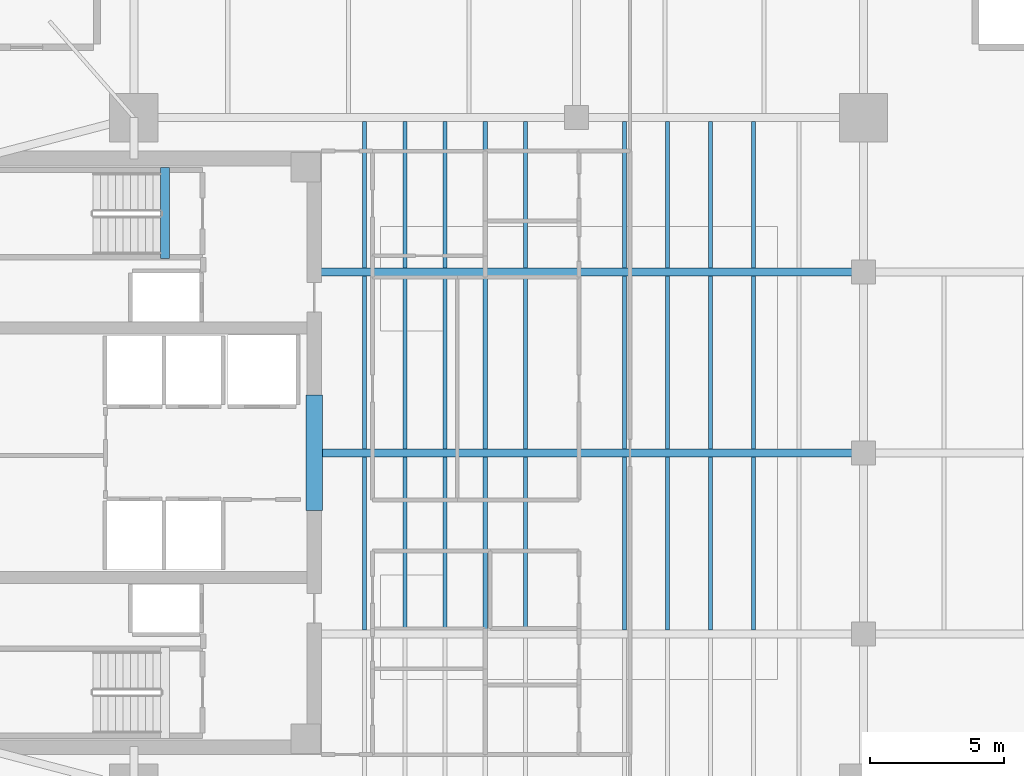
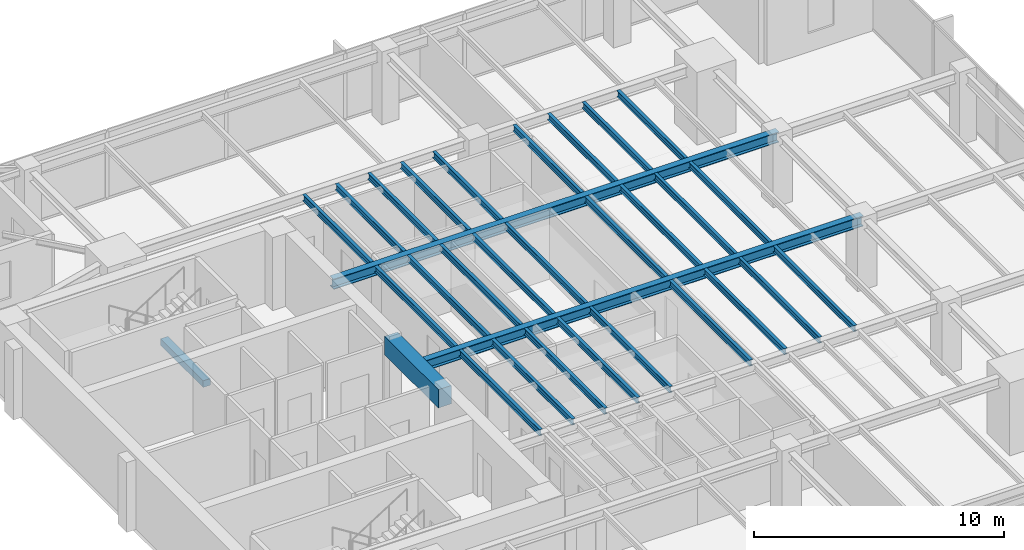
# One storey, part 3 of 14: 31 beams.
"""IFC4 building model written with IfcOpenShell, lengths in metres."""

from ifc_helpers import new_model, si_unit, direction, frame, origin, origin_2d, place, context, subcontext, project, spatial, rectangle, i_section, extrude, material, material_profile, profile_set, type_object, element, save


model = new_model("IFC4")

# Units and contexts
model_context = context("Model", 3, precision=1e-05, world=origin(), true_north=direction((0.0, 1.0)))
body_context = subcontext(model_context, "Body", "Model", "MODEL_VIEW")
ifc_project = project(units=[si_unit("LENGTHUNIT", "METRE"), si_unit("AREAUNIT", "SQUARE_METRE"), si_unit("VOLUMEUNIT", "CUBIC_METRE"), si_unit("PLANEANGLEUNIT", "RADIAN"), si_unit("MASSUNIT", "GRAM", prefix="KILO")], contexts=[model_context])

# Site, building, storey
site_placement = place(None, origin())
site = spatial("IfcSite", under=ifc_project, at=site_placement, CompositionType="ELEMENT")
building_placement = place(site_placement, origin())
building = spatial("IfcBuilding", under=site, at=building_placement, Name="Kinhvarn Gate Tower", CompositionType="ELEMENT")
storey_placement = place(building_placement, frame((0.0, 0.0, 195.14990234375)))
storey = spatial("IfcBuildingStorey", under=building, at=storey_placement, Name="L51", CompositionType="ELEMENT", Elevation=195.14990234375)

# Beams
ifc_material_1 = material(Name="Concrete C60/75", Category="concrete")
ifc_material_profile_1 = material_profile(ifc_material_1, rectangle(XDim=0.60009765625, YDim=0.89990234375, at=origin_2d()), Name="RC 600x900")
ifc_profile_set_1 = profile_set([ifc_material_profile_1], Name="Concrete C60/75")
beam_type_1 = type_object("IfcBeamType", Name="BM-CB-900", PredefinedType="LINTEL", material=ifc_profile_set_1)
beam_1_placement = place(storey_placement, frame((17.72509765625, 23.10009765625, 2.920166015625), z_axis=(0.0, 1.0, 0.0), x_axis=(-1.0, 0.0, 0.0)))
element("IfcBeam", 1, at=beam_1_placement, inside=storey, type_object=beam_type_1, Name="Core East Portal Coupling Beam L51", PredefinedType="LINTEL", context=body_context, shape_type="SweptSolid", body=[
    extrude(rectangle(XDim=0.60009765625, YDim=0.89990234375, at=origin_2d()), origin(), (0.0, 0.0, 1.0), 4.2998046875),
])
ifc_material_2 = material(Name="Concrete C50/60", Category="concrete")
ifc_material_profile_2 = material_profile(ifc_material_2, rectangle(XDim=0.340087890625, YDim=0.320068359375, at=origin_2d()), Name="RC 340x320")
ifc_profile_set_2 = profile_set([ifc_material_profile_2], Name="Concrete C50/60")
beam_type_2 = type_object("IfcBeamType", Name="BM-LND-500", PredefinedType="BEAM", material=ifc_profile_set_2)
beam_2_placement = place(storey_placement, frame((12.1650390625, 32.5, -0.159912109375), z_axis=(0.0, 1.0, 0.0), x_axis=(-1.0, 0.0, 0.0)))
element("IfcBeam", 2, at=beam_2_placement, inside=storey, type_object=beam_type_2, Name="Stair ST2 Landing Nosing Beam (L51)", PredefinedType="BEAM", context=body_context, shape_type="SweptSolid", body=[
    extrude(rectangle(XDim=0.340087890625, YDim=0.320068359375, at=origin_2d()), origin(), (0.0, 0.0, 1.0), 3.39990234375),
])
ifc_material_3 = material(Name="Steel S355", Category="steel")
ifc_material_profile_3 = material_profile(ifc_material_3, i_section(OverallWidth=0.300048828125, OverallDepth=0.5, WebThickness=0.014404296875, FlangeThickness=0.028076171875, at=origin_2d()), Name="HEB 500")
ifc_profile_set_3 = profile_set([ifc_material_profile_3], Name="Steel S355")
beam_type_3 = type_object("IfcBeamType", Name="STL-HEB500", PredefinedType="BEAM", material=ifc_profile_set_3)
beam_3_placement = place(storey_placement, frame((18.02490234375, 25.25, 3.1201171875), z_axis=(1.0, 0.0, 0.0), x_axis=(0.0, 1.0, 0.0)))
element("IfcBeam", 3, at=beam_3_placement, inside=storey, type_object=beam_type_3, Name="Floor Beam PG-14 (L51 EW1-Y25)", PredefinedType="BEAM", context=body_context, shape_type="SweptSolid", body=[
    extrude(i_section(OverallWidth=0.300048828125, OverallDepth=0.5, WebThickness=0.014404296875, FlangeThickness=0.028076171875, at=origin_2d()), origin(), (0.0, 0.0, 1.0), 20.175048828125),
])
beam_4_placement = place(storey_placement, frame((17.64990234375, 32.0, 3.1201171875), z_axis=(1.0, 0.0, 0.0), x_axis=(0.0, 1.0, 0.0)))
element("IfcBeam", 4, at=beam_4_placement, inside=storey, type_object=beam_type_3, Name="Floor Beam PG-14 (L51 EW1-Y32)", PredefinedType="BEAM", context=body_context, shape_type="SweptSolid", body=[
    extrude(i_section(OverallWidth=0.300048828125, OverallDepth=0.5, WebThickness=0.014404296875, FlangeThickness=0.028076171875, at=origin_2d()), origin(), (0.0, 0.0, 1.0), 20.550048828125),
])
ifc_material_profile_4 = material_profile(ifc_material_3, i_section(OverallWidth=0.14990234375, OverallDepth=0.300048828125, WebThickness=0.007080078125, FlangeThickness=0.0107421875, at=origin_2d()), Name="IPE 300")
ifc_profile_set_4 = profile_set([ifc_material_profile_4], Name="Steel S355")
beam_type_4 = type_object("IfcBeamType", Name="STL-IPE300", PredefinedType="JOIST", material=ifc_profile_set_4)
for number, where, z_axis, x_axis, name in (
    (5, (19.60009765625, 18.64990234375, 3.22021484375), (0.0, 1.0, 0.0), (-1.0, 0.0, 0.0), "Floor Joist SB-02 (L51 JC-X196-1)"),
    (6, (19.60009765625, 25.39990234375, 3.22021484375), (0.0, 1.0, 0.0), (-1.0, 0.0, 0.0), "Floor Joist SB-02 (L51 JC-X196-2)"),
):
    element("IfcBeam", number, at=place(storey_placement, frame(where, z_axis=z_axis, x_axis=x_axis)), inside=storey, type_object=beam_type_4, Name=name, PredefinedType="JOIST", context=body_context, shape_type="SweptSolid", body=[
        extrude(i_section(OverallWidth=0.14990234375, OverallDepth=0.300048828125, WebThickness=0.007080078125, FlangeThickness=0.0107421875, at=origin_2d()), origin(), (0.0, 0.0, 1.0), 6.4501953125),
    ])
beam_5_placement = place(storey_placement, frame((19.60009765625, 32.14990234375, 3.22021484375), z_axis=(0.0, 1.0, 0.0), x_axis=(-1.0, 0.0, 0.0)))
element("IfcBeam", 7, at=beam_5_placement, inside=storey, type_object=beam_type_4, Name="Floor Joist SB-02 (L51 JC-X196-3)", PredefinedType="JOIST", context=body_context, shape_type="SweptSolid", body=[
    extrude(i_section(OverallWidth=0.14990234375, OverallDepth=0.300048828125, WebThickness=0.007080078125, FlangeThickness=0.0107421875, at=origin_2d()), origin(), (0.0, 0.0, 1.0), 5.4501953125),
])
for number, where, z_axis, x_axis, name in (
    (8, (21.10009765625, 18.64990234375, 3.22021484375), (0.0, 1.0, 0.0), (-1.0, 0.0, 0.0), "Floor Joist SB-02 (L51 JC-X211-1)"),
    (9, (21.10009765625, 25.39990234375, 3.22021484375), (0.0, 1.0, 0.0), (-1.0, 0.0, 0.0), "Floor Joist SB-02 (L51 JC-X211-2)"),
):
    element("IfcBeam", number, at=place(storey_placement, frame(where, z_axis=z_axis, x_axis=x_axis)), inside=storey, type_object=beam_type_4, Name=name, PredefinedType="JOIST", context=body_context, shape_type="SweptSolid", body=[
        extrude(i_section(OverallWidth=0.14990234375, OverallDepth=0.300048828125, WebThickness=0.007080078125, FlangeThickness=0.0107421875, at=origin_2d()), origin(), (0.0, 0.0, 1.0), 6.4501953125),
    ])
beam_6_placement = place(storey_placement, frame((21.10009765625, 32.14990234375, 3.22021484375), z_axis=(0.0, 1.0, 0.0), x_axis=(-1.0, 0.0, 0.0)))
element("IfcBeam", 10, at=beam_6_placement, inside=storey, type_object=beam_type_4, Name="Floor Joist SB-02 (L51 JC-X211-3)", PredefinedType="JOIST", context=body_context, shape_type="SweptSolid", body=[
    extrude(i_section(OverallWidth=0.14990234375, OverallDepth=0.300048828125, WebThickness=0.007080078125, FlangeThickness=0.0107421875, at=origin_2d()), origin(), (0.0, 0.0, 1.0), 5.4501953125),
])
for number, where, z_axis, x_axis, name in (
    (11, (22.60009765625, 18.64990234375, 3.22021484375), (0.0, 1.0, 0.0), (-1.0, 0.0, 0.0), "Floor Joist SB-02 (L51 JC-X226-1)"),
    (12, (22.60009765625, 25.39990234375, 3.22021484375), (0.0, 1.0, 0.0), (-1.0, 0.0, 0.0), "Floor Joist SB-02 (L51 JC-X226-2)"),
):
    element("IfcBeam", number, at=place(storey_placement, frame(where, z_axis=z_axis, x_axis=x_axis)), inside=storey, type_object=beam_type_4, Name=name, PredefinedType="JOIST", context=body_context, shape_type="SweptSolid", body=[
        extrude(i_section(OverallWidth=0.14990234375, OverallDepth=0.300048828125, WebThickness=0.007080078125, FlangeThickness=0.0107421875, at=origin_2d()), origin(), (0.0, 0.0, 1.0), 6.4501953125),
    ])
beam_7_placement = place(storey_placement, frame((22.60009765625, 32.14990234375, 3.22021484375), z_axis=(0.0, 1.0, 0.0), x_axis=(-1.0, 0.0, 0.0)))
element("IfcBeam", 13, at=beam_7_placement, inside=storey, type_object=beam_type_4, Name="Floor Joist SB-02 (L51 JC-X226-3)", PredefinedType="JOIST", context=body_context, shape_type="SweptSolid", body=[
    extrude(i_section(OverallWidth=0.14990234375, OverallDepth=0.300048828125, WebThickness=0.007080078125, FlangeThickness=0.0107421875, at=origin_2d()), origin(), (0.0, 0.0, 1.0), 5.4501953125),
])
for number, where, z_axis, x_axis, name in (
    (14, (24.10009765625, 18.64990234375, 3.22021484375), (0.0, 1.0, 0.0), (-1.0, 0.0, 0.0), "Floor Joist SB-02 (L51 JC-X241-1)"),
    (15, (24.10009765625, 25.39990234375, 3.22021484375), (0.0, 1.0, 0.0), (-1.0, 0.0, 0.0), "Floor Joist SB-02 (L51 JC-X241-2)"),
):
    element("IfcBeam", number, at=place(storey_placement, frame(where, z_axis=z_axis, x_axis=x_axis)), inside=storey, type_object=beam_type_4, Name=name, PredefinedType="JOIST", context=body_context, shape_type="SweptSolid", body=[
        extrude(i_section(OverallWidth=0.14990234375, OverallDepth=0.300048828125, WebThickness=0.007080078125, FlangeThickness=0.0107421875, at=origin_2d()), origin(), (0.0, 0.0, 1.0), 6.4501953125),
    ])
beam_8_placement = place(storey_placement, frame((24.10009765625, 32.14990234375, 3.22021484375), z_axis=(0.0, 1.0, 0.0), x_axis=(-1.0, 0.0, 0.0)))
element("IfcBeam", 16, at=beam_8_placement, inside=storey, type_object=beam_type_4, Name="Floor Joist SB-02 (L51 JC-X241-3)", PredefinedType="JOIST", context=body_context, shape_type="SweptSolid", body=[
    extrude(i_section(OverallWidth=0.14990234375, OverallDepth=0.300048828125, WebThickness=0.007080078125, FlangeThickness=0.0107421875, at=origin_2d()), origin(), (0.0, 0.0, 1.0), 5.4501953125),
])
for number, where, z_axis, x_axis, name in (
    (17, (25.60009765625, 18.64990234375, 3.22021484375), (0.0, 1.0, 0.0), (-1.0, 0.0, 0.0), "Floor Joist SB-02 (L51 JC-X256-1)"),
    (18, (25.60009765625, 25.39990234375, 3.22021484375), (0.0, 1.0, 0.0), (-1.0, 0.0, 0.0), "Floor Joist SB-02 (L51 JC-X256-2)"),
):
    element("IfcBeam", number, at=place(storey_placement, frame(where, z_axis=z_axis, x_axis=x_axis)), inside=storey, type_object=beam_type_4, Name=name, PredefinedType="JOIST", context=body_context, shape_type="SweptSolid", body=[
        extrude(i_section(OverallWidth=0.14990234375, OverallDepth=0.300048828125, WebThickness=0.007080078125, FlangeThickness=0.0107421875, at=origin_2d()), origin(), (0.0, 0.0, 1.0), 6.4501953125),
    ])
beam_9_placement = place(storey_placement, frame((25.60009765625, 32.14990234375, 3.22021484375), z_axis=(0.0, 1.0, 0.0), x_axis=(-1.0, 0.0, 0.0)))
element("IfcBeam", 19, at=beam_9_placement, inside=storey, type_object=beam_type_4, Name="Floor Joist SB-02 (L51 JC-X256-3)", PredefinedType="JOIST", context=body_context, shape_type="SweptSolid", body=[
    extrude(i_section(OverallWidth=0.14990234375, OverallDepth=0.300048828125, WebThickness=0.007080078125, FlangeThickness=0.0107421875, at=origin_2d()), origin(), (0.0, 0.0, 1.0), 5.4501953125),
])
for number, where, z_axis, x_axis, name in (
    (20, (29.300048828125, 18.64990234375, 3.22021484375), (0.0, 1.0, 0.0), (-1.0, 0.0, 0.0), "Floor Joist SB-02 (L51 JC-X293-1)"),
    (21, (29.300048828125, 25.39990234375, 3.22021484375), (0.0, 1.0, 0.0), (-1.0, 0.0, 0.0), "Floor Joist SB-02 (L51 JC-X293-2)"),
):
    element("IfcBeam", number, at=place(storey_placement, frame(where, z_axis=z_axis, x_axis=x_axis)), inside=storey, type_object=beam_type_4, Name=name, PredefinedType="JOIST", context=body_context, shape_type="SweptSolid", body=[
        extrude(i_section(OverallWidth=0.14990234375, OverallDepth=0.300048828125, WebThickness=0.007080078125, FlangeThickness=0.0107421875, at=origin_2d()), origin(), (0.0, 0.0, 1.0), 6.4501953125),
    ])
beam_10_placement = place(storey_placement, frame((29.300048828125, 32.14990234375, 3.22021484375), z_axis=(0.0, 1.0, 0.0), x_axis=(-1.0, 0.0, 0.0)))
element("IfcBeam", 22, at=beam_10_placement, inside=storey, type_object=beam_type_4, Name="Floor Joist SB-02 (L51 JC-X293-3)", PredefinedType="JOIST", context=body_context, shape_type="SweptSolid", body=[
    extrude(i_section(OverallWidth=0.14990234375, OverallDepth=0.300048828125, WebThickness=0.007080078125, FlangeThickness=0.0107421875, at=origin_2d()), origin(), (0.0, 0.0, 1.0), 5.4501953125),
])
for number, where, z_axis, x_axis, name in (
    (23, (30.89990234375, 18.64990234375, 3.22021484375), (0.0, 1.0, 0.0), (-1.0, 0.0, 0.0), "Floor Joist SB-02 (L51 JC-X309-1)"),
    (24, (30.89990234375, 25.39990234375, 3.22021484375), (0.0, 1.0, 0.0), (-1.0, 0.0, 0.0), "Floor Joist SB-02 (L51 JC-X309-2)"),
):
    element("IfcBeam", number, at=place(storey_placement, frame(where, z_axis=z_axis, x_axis=x_axis)), inside=storey, type_object=beam_type_4, Name=name, PredefinedType="JOIST", context=body_context, shape_type="SweptSolid", body=[
        extrude(i_section(OverallWidth=0.14990234375, OverallDepth=0.300048828125, WebThickness=0.007080078125, FlangeThickness=0.0107421875, at=origin_2d()), origin(), (0.0, 0.0, 1.0), 6.4501953125),
    ])
beam_11_placement = place(storey_placement, frame((30.89990234375, 32.14990234375, 3.22021484375), z_axis=(0.0, 1.0, 0.0), x_axis=(-1.0, 0.0, 0.0)))
element("IfcBeam", 25, at=beam_11_placement, inside=storey, type_object=beam_type_4, Name="Floor Joist SB-02 (L51 JC-X309-3)", PredefinedType="JOIST", context=body_context, shape_type="SweptSolid", body=[
    extrude(i_section(OverallWidth=0.14990234375, OverallDepth=0.300048828125, WebThickness=0.007080078125, FlangeThickness=0.0107421875, at=origin_2d()), origin(), (0.0, 0.0, 1.0), 5.4501953125),
])
for number, where, z_axis, x_axis, name in (
    (26, (32.5, 18.64990234375, 3.22021484375), (0.0, 1.0, 0.0), (-1.0, 0.0, 0.0), "Floor Joist SB-02 (L51 JC-X325-1)"),
    (27, (32.5, 25.39990234375, 3.22021484375), (0.0, 1.0, 0.0), (-1.0, 0.0, 0.0), "Floor Joist SB-02 (L51 JC-X325-2)"),
):
    element("IfcBeam", number, at=place(storey_placement, frame(where, z_axis=z_axis, x_axis=x_axis)), inside=storey, type_object=beam_type_4, Name=name, PredefinedType="JOIST", context=body_context, shape_type="SweptSolid", body=[
        extrude(i_section(OverallWidth=0.14990234375, OverallDepth=0.300048828125, WebThickness=0.007080078125, FlangeThickness=0.0107421875, at=origin_2d()), origin(), (0.0, 0.0, 1.0), 6.4501953125),
    ])
beam_12_placement = place(storey_placement, frame((32.5, 32.14990234375, 3.22021484375), z_axis=(0.0, 1.0, 0.0), x_axis=(-1.0, 0.0, 0.0)))
element("IfcBeam", 28, at=beam_12_placement, inside=storey, type_object=beam_type_4, Name="Floor Joist SB-02 (L51 JC-X325-3)", PredefinedType="JOIST", context=body_context, shape_type="SweptSolid", body=[
    extrude(i_section(OverallWidth=0.14990234375, OverallDepth=0.300048828125, WebThickness=0.007080078125, FlangeThickness=0.0107421875, at=origin_2d()), origin(), (0.0, 0.0, 1.0), 5.4501953125),
])
for number, where, z_axis, x_axis, name in (
    (29, (34.10009765625, 18.64990234375, 3.22021484375), (0.0, 1.0, 0.0), (-1.0, 0.0, 0.0), "Floor Joist SB-02 (L51 JC-X341-1)"),
    (30, (34.10009765625, 25.39990234375, 3.22021484375), (0.0, 1.0, 0.0), (-1.0, 0.0, 0.0), "Floor Joist SB-02 (L51 JC-X341-2)"),
):
    element("IfcBeam", number, at=place(storey_placement, frame(where, z_axis=z_axis, x_axis=x_axis)), inside=storey, type_object=beam_type_4, Name=name, PredefinedType="JOIST", context=body_context, shape_type="SweptSolid", body=[
        extrude(i_section(OverallWidth=0.14990234375, OverallDepth=0.300048828125, WebThickness=0.007080078125, FlangeThickness=0.0107421875, at=origin_2d()), origin(), (0.0, 0.0, 1.0), 6.4501953125),
    ])
beam_13_placement = place(storey_placement, frame((34.10009765625, 32.14990234375, 3.22021484375), z_axis=(0.0, 1.0, 0.0), x_axis=(-1.0, 0.0, 0.0)))
element("IfcBeam", 31, at=beam_13_placement, inside=storey, type_object=beam_type_4, Name="Floor Joist SB-02 (L51 JC-X341-3)", PredefinedType="JOIST", context=body_context, shape_type="SweptSolid", body=[
    extrude(i_section(OverallWidth=0.14990234375, OverallDepth=0.300048828125, WebThickness=0.007080078125, FlangeThickness=0.0107421875, at=origin_2d()), origin(), (0.0, 0.0, 1.0), 5.4501953125),
])

save(model, "model.ifc")
